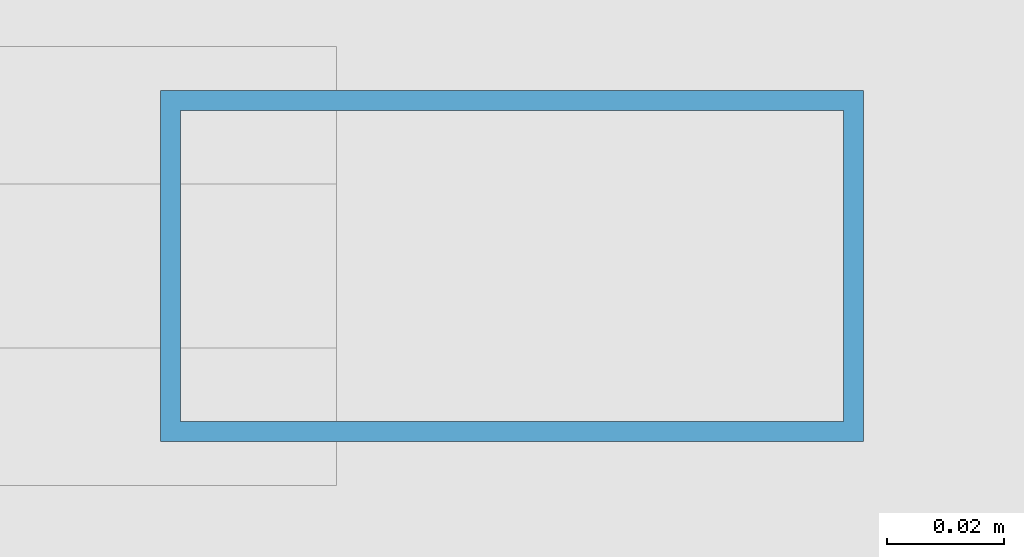
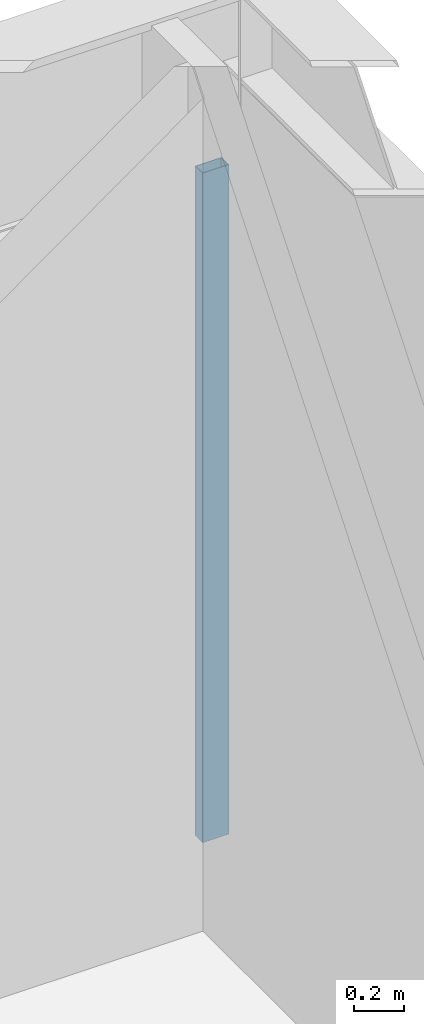
# One storey, part 28 of 115: 1 member, 1 element without a shape of its own.
"""IFC4 building model written with IfcOpenShell, lengths in metres."""

from ifc_helpers import new_model, si_unit, direction, frame, origin, origin_2d, place, context, subcontext, project, spatial, hollow_rectangle, extrude, material, layer, layer_set, material_profile, profile_set, type_object, element, aggregate, save


model = new_model("IFC4")

# Units and contexts
model_context = context("Model", 3, precision=1e-05, world=origin(), true_north=direction((0.0, 1.0)))
body_context = subcontext(model_context, "Body", "Model", "MODEL_VIEW")
ifc_project = project(units=[si_unit("LENGTHUNIT", "METRE"), si_unit("AREAUNIT", "SQUARE_METRE"), si_unit("VOLUMEUNIT", "CUBIC_METRE"), si_unit("PLANEANGLEUNIT", "RADIAN"), si_unit("MASSUNIT", "GRAM", prefix="KILO")], contexts=[model_context])

# Site, building, storey
site_placement = place(None, origin())
site = spatial("IfcSite", under=ifc_project, at=site_placement, CompositionType="ELEMENT")
building_placement = place(site_placement, origin())
building = spatial("IfcBuilding", under=site, at=building_placement, Name="Montelvaro Courts of Justice", CompositionType="ELEMENT")
storey_placement = place(building_placement, frame((0.0, 0.0, 9.89990234375)))
storey = spatial("IfcBuildingStorey", under=building, at=storey_placement, Name="L02", CompositionType="ELEMENT", Elevation=9.89990234375)

# Curtain wall, member
ifc_material = material(Name="Anodised aluminium EN AW-6063", Category="aluminium")
ifc_layer = layer(ifc_material, 0.159912109375)
ifc_layer_set = layer_set([ifc_layer], Name="Anodised aluminium EN AW-6063")
curtain_wall_type = type_object("IfcCurtainWallType", Name="CurtainWall_18_868x418", PredefinedType="USERDEFINED", material=ifc_layer_set)
curtain_wall_placement = place(storey_placement, origin())
curtain_wall = element("IfcCurtainWall", 1, at=curtain_wall_placement, inside=storey, type_object=curtain_wall_type, Name="Curtain Wall CW-18 (L02)", ObjectType="CURTAIN WALL", PredefinedType="USERDEFINED")
ifc_material_profile = material_profile(ifc_material, hollow_rectangle(XDim=0.06005859375, YDim=0.1201171875, WallThickness=0.00341796875, at=origin_2d()), Name="ALU-M 60x120")
ifc_profile_set = profile_set([ifc_material_profile], Name="Anodised aluminium EN AW-6063")
member_type = type_object("IfcMemberType", Name="CurtainWall_Mullion_60x120", PredefinedType="MULLION", material=ifc_profile_set)
member_placement = place(storey_placement, frame((44.804931640625, 54.0, 0.0), z_axis=(0.0, 0.0, 1.0), x_axis=(0.0, -1.0, 0.0)))
member = element("IfcMember", 2, at=member_placement, type_object=member_type, Name="CW-18 mullion 1", PredefinedType="MULLION", context=body_context, shape_type="SweptSolid", body=[
    extrude(hollow_rectangle(XDim=0.06005859375, YDim=0.1201171875, WallThickness=0.00341796875, at=origin_2d()), origin(), (0.0, 0.0, 1.0), 3.2451171875),
])
aggregate(curtain_wall, [member])

save(model, "model.ifc")
